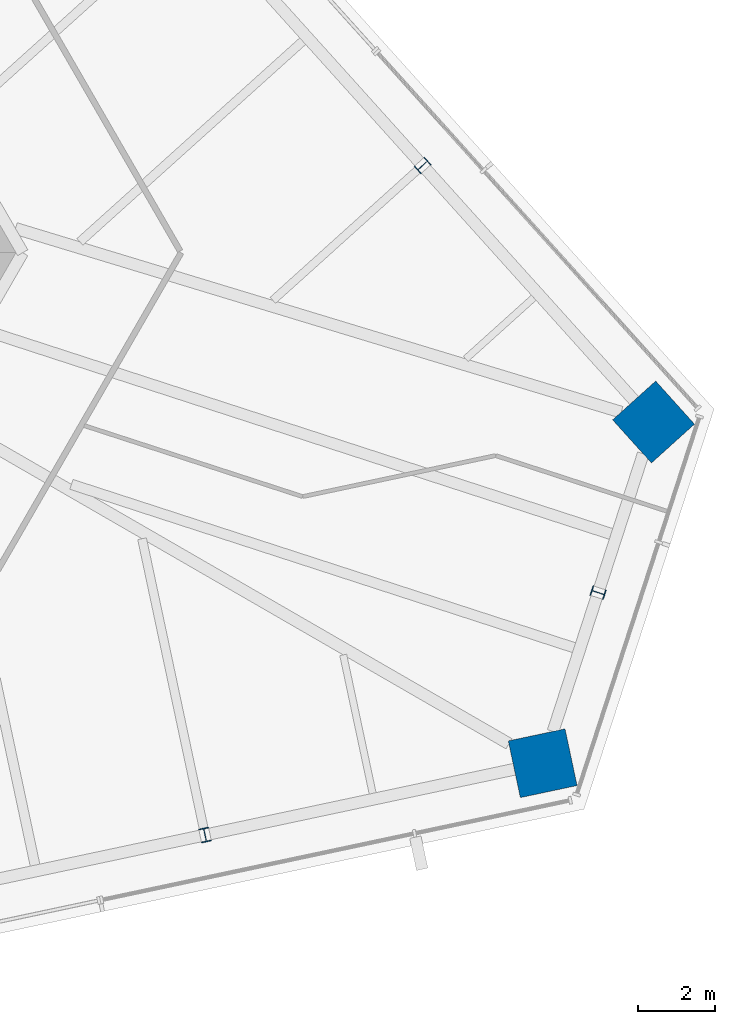
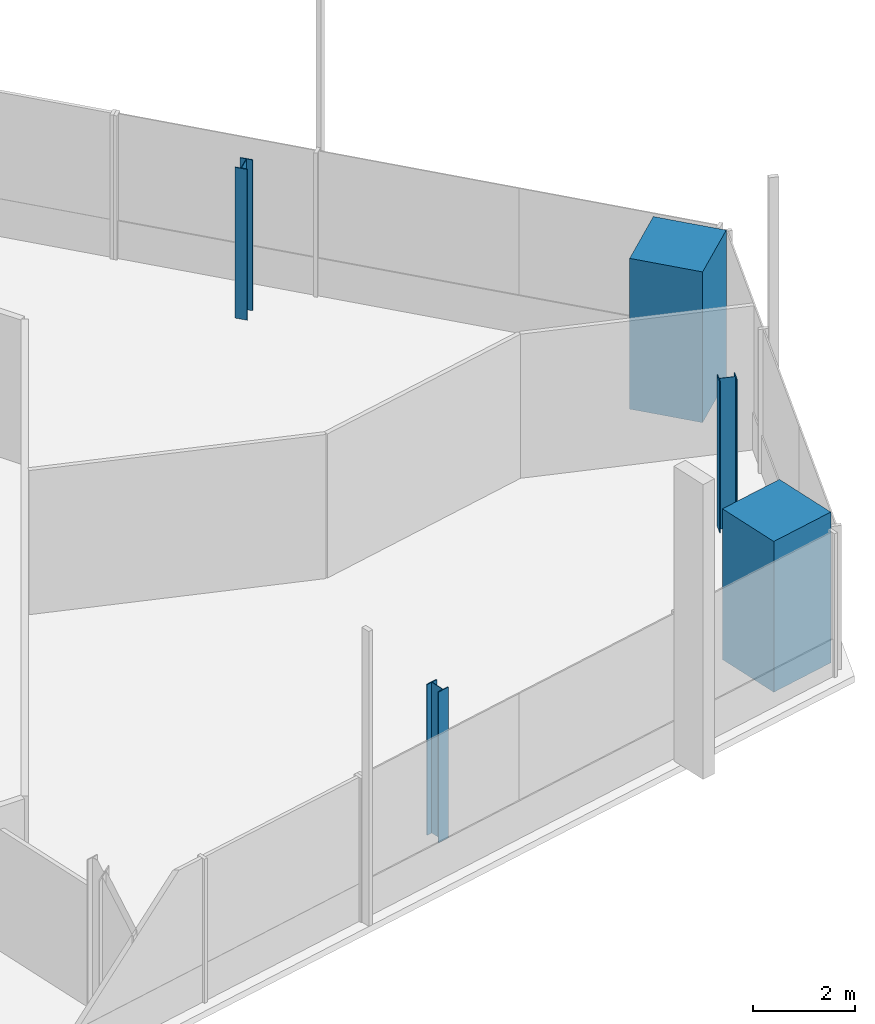
# One storey, part 2 of 17: 5 columns.
"""IFC4 building model written with IfcOpenShell, lengths in metres."""

from ifc_helpers import new_model, si_unit, direction, frame, origin, origin_2d, place, context, subcontext, project, spatial, rectangle, i_section, extrude, source, transform, mapped, material, material_profile, profile_set, type_object, element, save


model = new_model("IFC4")

# Units and contexts
model_context = context("Model", 3, precision=1e-05, world=origin(), true_north=direction((0.0, 1.0)))
body_context = subcontext(model_context, "Body", "Model", "MODEL_VIEW")
ifc_project = project(units=[si_unit("LENGTHUNIT", "METRE"), si_unit("AREAUNIT", "SQUARE_METRE"), si_unit("VOLUMEUNIT", "CUBIC_METRE"), si_unit("PLANEANGLEUNIT", "RADIAN"), si_unit("MASSUNIT", "GRAM", prefix="KILO")], contexts=[model_context])

# Site, building, storey
site_placement = place(None, origin())
site = spatial("IfcSite", under=ifc_project, at=site_placement, CompositionType="ELEMENT")
building_placement = place(site_placement, origin())
building = spatial("IfcBuilding", under=site, at=building_placement, Name="Triune Harvest Tower", CompositionType="ELEMENT")
storey_placement = place(building_placement, frame((0.0, 0.0, 273.89990234375)))
storey = spatial("IfcBuildingStorey", under=building, at=storey_placement, Name="L72", CompositionType="ELEMENT", Elevation=273.89990234375)

# Columns
ifc_material_1 = material(Name="Concrete 70 MPa", Category="concrete")
ifc_material_profile_1 = material_profile(ifc_material_1, rectangle(XDim=1.5, YDim=1.5, at=origin_2d()), Name="Composite 1500x1500")
ifc_profile_set_1 = profile_set([ifc_material_profile_1], Name="Concrete 70 MPa")
column_type_1 = type_object("IfcColumnType", Name="MC-7 Mega column Composite 1500x1500", PredefinedType="COLUMN", material=ifc_profile_set_1)
shared_shape_1 = source(origin(), body_context, "Body", "SweptSolid", [
    extrude(rectangle(XDim=1.5, YDim=1.5, at=origin_2d()), origin(), (0.0, 0.0, 1.0), 3.60009765625),
])
for number, where, z_axis, x_axis, name in (
    (1, (28.4931640625, -4.379150390625, 0.0), (0.0, 0.0, 1.0), (-0.669130606359, 0.743144825477, 0.0), "col/L72/M0"),
    (2, (25.62548828125, -13.205078125, 0.0), (0.0, 0.0, 1.0), (0.978147237858, 0.207913398007, 0.0), "col/L72/M19"),
):
    element("IfcColumn", number, at=place(storey_placement, frame(where, z_axis=z_axis, x_axis=x_axis)), inside=storey, type_object=column_type_1, Name=name, PredefinedType="COLUMN", context=body_context, shape_type="MappedRepresentation", body=[
        mapped(shared_shape_1, transform((0.0, 0.0, 0.0), scale=1.0)),
    ])
ifc_material_2 = material(Name="Steel ASTM A992 Gr 50", Category="steel")
ifc_material_profile_2 = material_profile(ifc_material_2, i_section(OverallWidth=0.256591796875, OverallDepth=0.360595703125, WebThickness=0.011474609375, FlangeThickness=0.02001953125, at=origin_2d()), Name="W14x74")
ifc_profile_set_2 = profile_set([ifc_material_profile_2], Name="Steel ASTM A992 Gr 50")
column_type_2 = type_object("IfcColumnType", Name="PC-7 Perimeter column W14x74", PredefinedType="COLUMN", material=ifc_profile_set_2)
shared_shape_2 = source(origin(), body_context, "Body", "SweptSolid", [
    extrude(i_section(OverallWidth=0.256591796875, OverallDepth=0.360595703125, WebThickness=0.011474609375, FlangeThickness=0.02001953125, at=origin_2d()), origin(), (0.0, 0.0, 1.0), 3.60009765625),
])
for number, where, z_axis, x_axis, name in (
    (3, (22.519287109375, 2.255615234375, 0.0), (0.0, 0.0, 1.0), (-0.669130606359, 0.743144825477, 0.0), "col/L72/P1"),
    (4, (16.892578125, -15.061279296875, 0.0), (0.0, 0.0, 1.0), (0.978147237858, 0.207913398007, 0.0), "col/L72/P18"),
    (5, (27.059326171875, -8.7919921875, 0.0), (0.0, 0.0, 1.0), (0.309016994375, 0.951056516295, 0.0), "col/L72/P20"),
):
    element("IfcColumn", number, at=place(storey_placement, frame(where, z_axis=z_axis, x_axis=x_axis)), inside=storey, type_object=column_type_2, Name=name, PredefinedType="COLUMN", context=body_context, shape_type="MappedRepresentation", body=[
        mapped(shared_shape_2, transform((0.0, 0.0, 0.0), scale=1.0)),
    ])

save(model, "model.ifc")
